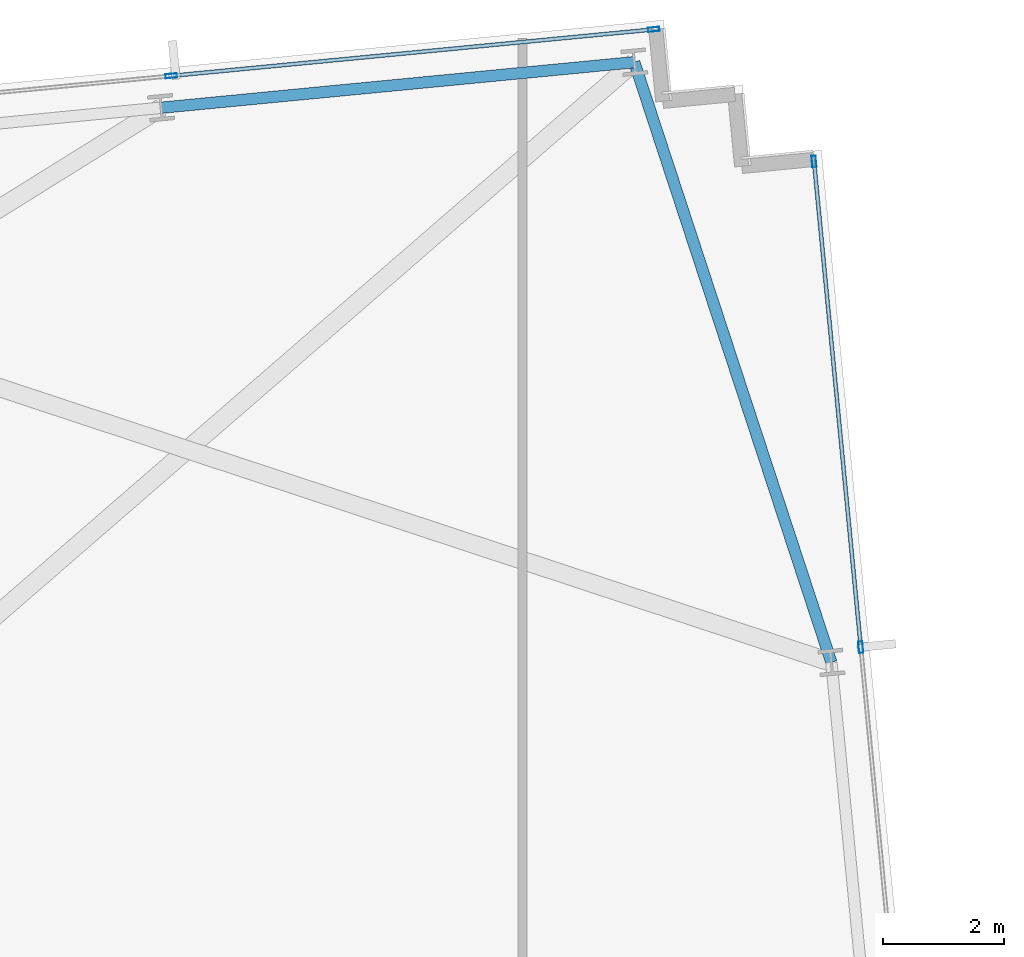
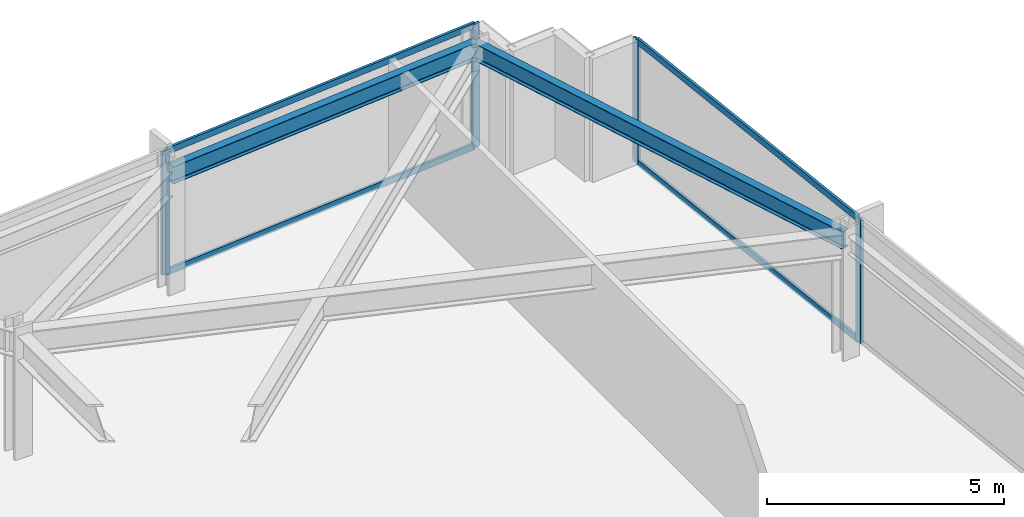
# One storey, part 23 of 32: 8 members, 2 beams, 2 elements without a shape of their own.
"""IFC4 building model written with IfcOpenShell, lengths in metres."""

from ifc_helpers import new_model, si_unit, direction, frame, origin, origin_2d, place, context, subcontext, project, spatial, hollow_rectangle, i_section, extrude, material, material_profile, profile_set, type_object, element, aggregate, save


model = new_model("IFC4")

# Units and contexts
model_context = context("Model", 3, precision=1e-05, world=origin(), true_north=direction((0.0, 1.0)))
body_context = subcontext(model_context, "Body", "Model", "MODEL_VIEW")
ifc_project = project(units=[si_unit("LENGTHUNIT", "METRE"), si_unit("AREAUNIT", "SQUARE_METRE"), si_unit("VOLUMEUNIT", "CUBIC_METRE"), si_unit("PLANEANGLEUNIT", "RADIAN"), si_unit("MASSUNIT", "GRAM", prefix="KILO")], contexts=[model_context])

# Site, building, storey
site_placement = place(None, origin())
site = spatial("IfcSite", under=ifc_project, at=site_placement, CompositionType="ELEMENT")
building_placement = place(site_placement, origin())
building = spatial("IfcBuilding", under=site, at=building_placement, Name="Yelkora Congress Tower", CompositionType="ELEMENT")
storey_placement = place(building_placement, frame((0.0, 0.0, 120.300048828125)))
storey = spatial("IfcBuildingStorey", under=building, at=storey_placement, Name="L32", CompositionType="ELEMENT", Elevation=120.300048828125)

# Beams
ifc_material_1 = material(Name="Steel S355J2", Category="steel")
ifc_material_profile_1 = material_profile(ifc_material_1, i_section(OverallWidth=0.18994140625, OverallDepth=0.449951171875, WebThickness=0.009521484375, FlangeThickness=0.0146484375, FilletRadius=0.02099609375, at=origin_2d()), Name="IPE 450")
ifc_profile_set_1 = profile_set([ifc_material_profile_1], Name="Steel S355J2")
beam_type = type_object("IfcBeamType", Name="BM-SPAN-IPE450", PredefinedType="SPANDREL", material=ifc_profile_set_1)
beam_1_placement = place(storey_placement, frame((74.522216796875, 40.610595703125, 2.954833984375), z_axis=(-0.311961656523, 0.950094692575, 0.0), x_axis=(-0.950094692575, -0.311961656523, 0.0)))
element("IfcBeam", 1, at=beam_1_placement, inside=storey, type_object=beam_type, Name="L32 Perimeter Beam 13", PredefinedType="SPANDREL", context=body_context, shape_type="SweptSolid", body=[
    extrude(i_section(OverallWidth=0.18994140625, OverallDepth=0.449951171875, WebThickness=0.009521484375, FlangeThickness=0.0146484375, FilletRadius=0.02099609375, at=origin_2d()), origin(), (0.0, 0.0, 1.0), 10.48046875),
])
beam_2_placement = place(storey_placement, frame((71.252685546875, 50.568115234375, 2.954833984375), z_axis=(-0.995392621281, -0.095882894719, 0.0), x_axis=(0.095882894719, -0.995392621281, 0.0)))
element("IfcBeam", 2, at=beam_2_placement, inside=storey, type_object=beam_type, Name="L32 Perimeter Beam 14", PredefinedType="SPANDREL", context=body_context, shape_type="SweptSolid", body=[
    extrude(i_section(OverallWidth=0.18994140625, OverallDepth=0.449951171875, WebThickness=0.009521484375, FlangeThickness=0.0146484375, FilletRadius=0.02099609375, at=origin_2d()), origin(), (0.0, 0.0, 1.0), 7.8857421875),
])

# Curtain wall, members
ifc_material_2 = material(Name="Anodised aluminium and insulated glass", Category="aluminium")
curtain_wall_type = type_object("IfcCurtainWallType", Name="CW-SYS-B2", PredefinedType="NOTDEFINED", material=ifc_material_2)
curtain_wall_1_placement = place(storey_placement, origin())
curtain_wall_1 = element("IfcCurtainWall", 3, at=curtain_wall_1_placement, inside=storey, type_object=curtain_wall_type, Name="L32 Unitised Curtain Wall 10 (3)", PredefinedType="NOTDEFINED")
ifc_material_3 = material(Name="Anodised aluminium 6063-T6", Category="aluminium")
ifc_material_profile_2 = material_profile(ifc_material_3, hollow_rectangle(XDim=0.070068359375, YDim=0.18994140625, WallThickness=0.00390625, at=origin_2d()), Name="ALU 70x190x4")
ifc_profile_set_2 = profile_set([ifc_material_profile_2], Name="Anodised aluminium 6063-T6")
member_type_1 = type_object("IfcMemberType", Name="MEM-ML-B2", PredefinedType="MULLION", material=ifc_profile_set_2)
member_1_placement = place(storey_placement, frame((63.572021484375, 50.3408203125, 0.0), z_axis=(0.0, 0.0, 1.0), x_axis=(-0.095844238468, 0.995396344153, 0.0)))
member_1 = element("IfcMember", 4, at=member_1_placement, type_object=member_type_1, Name="CW-B2 mullion 6", PredefinedType="MULLION", context=body_context, shape_type="SweptSolid", body=[
    extrude(hollow_rectangle(XDim=0.070068359375, YDim=0.18994140625, WallThickness=0.00390625, at=origin_2d()), origin(), (0.0, 0.0, 1.0), 3.179931640625),
])
member_2_placement = place(storey_placement, frame((71.5771484375, 51.111572265625, 0.0), z_axis=(0.0, 0.0, 1.0), x_axis=(-0.095844238468, 0.995396344153, 0.0)))
member_2 = element("IfcMember", 5, at=member_2_placement, type_object=member_type_1, Name="CW-B2 mullion 7", PredefinedType="MULLION", context=body_context, shape_type="SweptSolid", body=[
    extrude(hollow_rectangle(XDim=0.070068359375, YDim=0.18994140625, WallThickness=0.00390625, at=origin_2d()), origin(), (0.0, 0.0, 1.0), 3.179931640625),
])

curtain_wall_2_placement = place(storey_placement, origin())
curtain_wall_2 = element("IfcCurtainWall", 6, at=curtain_wall_2_placement, inside=storey, type_object=curtain_wall_type, Name="L32 Unitised Curtain Wall 15", PredefinedType="NOTDEFINED")
member_3_placement = place(storey_placement, frame((74.234375, 48.921142578125, 0.0), z_axis=(0.0, 0.0, 1.0), x_axis=(0.995396507508, 0.095842541913, 0.0)))
member_3 = element("IfcMember", 7, at=member_3_placement, type_object=member_type_1, Name="CW-B2 mullion 1", PredefinedType="MULLION", context=body_context, shape_type="SweptSolid", body=[
    extrude(hollow_rectangle(XDim=0.070068359375, YDim=0.18994140625, WallThickness=0.00390625, at=origin_2d()), origin(), (0.0, 0.0, 1.0), 3.179931640625),
])
member_4_placement = place(storey_placement, frame((75.010009765625, 40.863525390625, 0.0), z_axis=(0.0, 0.0, 1.0), x_axis=(0.995396507508, 0.095842541913, 0.0)))
member_4 = element("IfcMember", 8, at=member_4_placement, type_object=member_type_1, Name="CW-B2 mullion 2", PredefinedType="MULLION", context=body_context, shape_type="SweptSolid", body=[
    extrude(hollow_rectangle(XDim=0.070068359375, YDim=0.18994140625, WallThickness=0.00390625, at=origin_2d()), origin(), (0.0, 0.0, 1.0), 3.179931640625),
])

# Member
ifc_material_profile_3 = material_profile(ifc_material_3, hollow_rectangle(XDim=0.06494140625, YDim=0.159912109375, WallThickness=0.00390625, at=origin_2d()), Name="ALU 65x160x4")
ifc_profile_set_3 = profile_set([ifc_material_profile_3], Name="Anodised aluminium 6063-T6")
member_type_2 = type_object("IfcMemberType", Name="MEM-TR-B2", PredefinedType="USERDEFINED", material=ifc_profile_set_3)
member_5_placement = place(storey_placement, frame((63.606689453125, 50.343994140625, 0.032470703125), z_axis=(0.995395553311, 0.095852451448, 0.0), x_axis=(-0.095852451448, 0.995395553311, 0.0)))
member_5 = element("IfcMember", 9, at=member_5_placement, type_object=member_type_2, Name="CW-B2 transom 6.1", ObjectType="TRANSOM", PredefinedType="USERDEFINED", context=body_context, shape_type="SweptSolid", body=[
    extrude(hollow_rectangle(XDim=0.06494140625, YDim=0.159912109375, WallThickness=0.00390625, at=origin_2d()), origin(), (0.0, 0.0, 1.0), 7.97216796875),
])

member_6_placement = place(storey_placement, frame((63.606689453125, 50.343994140625, 3.1474609375), z_axis=(0.995395553311, 0.095852451448, 0.0), x_axis=(-0.095852451448, 0.995395553311, 0.0)))
member_6 = element("IfcMember", 10, at=member_6_placement, type_object=member_type_2, Name="CW-B2 transom 6.2", ObjectType="TRANSOM", PredefinedType="USERDEFINED", context=body_context, shape_type="SweptSolid", body=[
    extrude(hollow_rectangle(XDim=0.06494140625, YDim=0.159912109375, WallThickness=0.00390625, at=origin_2d()), origin(), (0.0, 0.0, 1.0), 7.97216796875),
])

aggregate(curtain_wall_1, [member_1, member_2, member_5, member_6])

member_7_placement = place(storey_placement, frame((74.237548828125, 48.88623046875, 0.032470703125), z_axis=(0.095861385662, -0.995394692943, 0.0), x_axis=(0.995394692943, 0.095861385662, 0.0)))
member_7 = element("IfcMember", 11, at=member_7_placement, type_object=member_type_2, Name="CW-B2 transom 1.1", ObjectType="TRANSOM", PredefinedType="USERDEFINED", context=body_context, shape_type="SweptSolid", body=[
    extrude(hollow_rectangle(XDim=0.06494140625, YDim=0.159912109375, WallThickness=0.00390625, at=origin_2d()), origin(), (0.0, 0.0, 1.0), 8.02490234375),
])

member_8_placement = place(storey_placement, frame((74.237548828125, 48.88623046875, 3.1474609375), z_axis=(0.095861385662, -0.995394692943, 0.0), x_axis=(0.995394692943, 0.095861385662, 0.0)))
member_8 = element("IfcMember", 12, at=member_8_placement, type_object=member_type_2, Name="CW-B2 transom 1.2", ObjectType="TRANSOM", PredefinedType="USERDEFINED", context=body_context, shape_type="SweptSolid", body=[
    extrude(hollow_rectangle(XDim=0.06494140625, YDim=0.159912109375, WallThickness=0.00390625, at=origin_2d()), origin(), (0.0, 0.0, 1.0), 8.02490234375),
])

aggregate(curtain_wall_2, [member_3, member_4, member_7, member_8])

save(model, "model.ifc")
